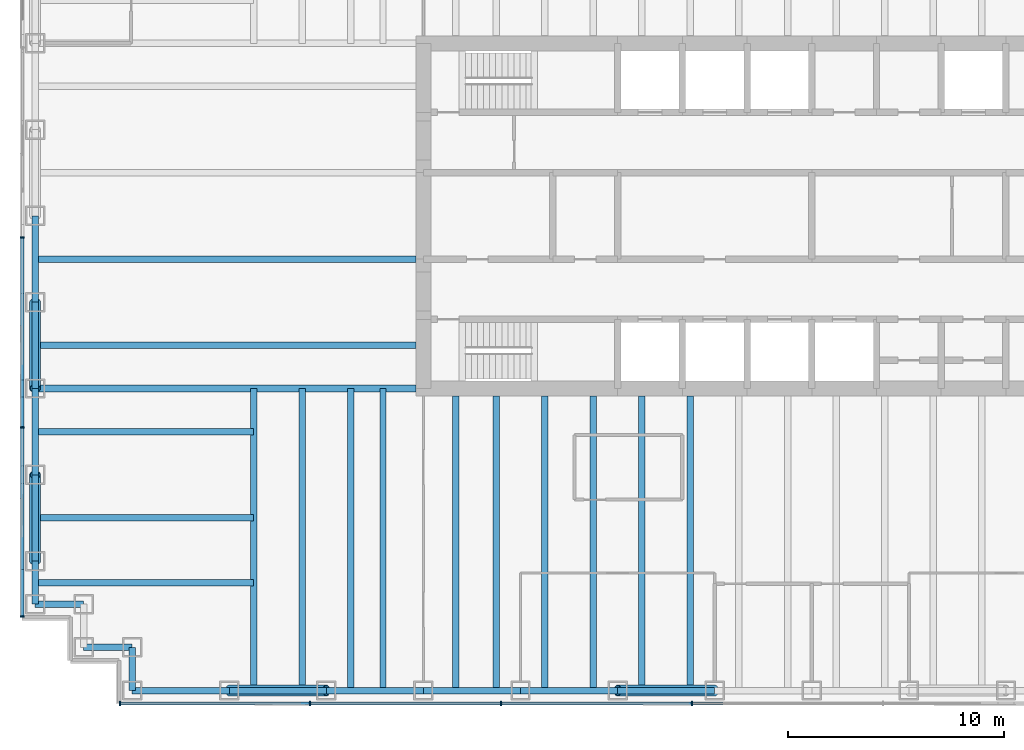
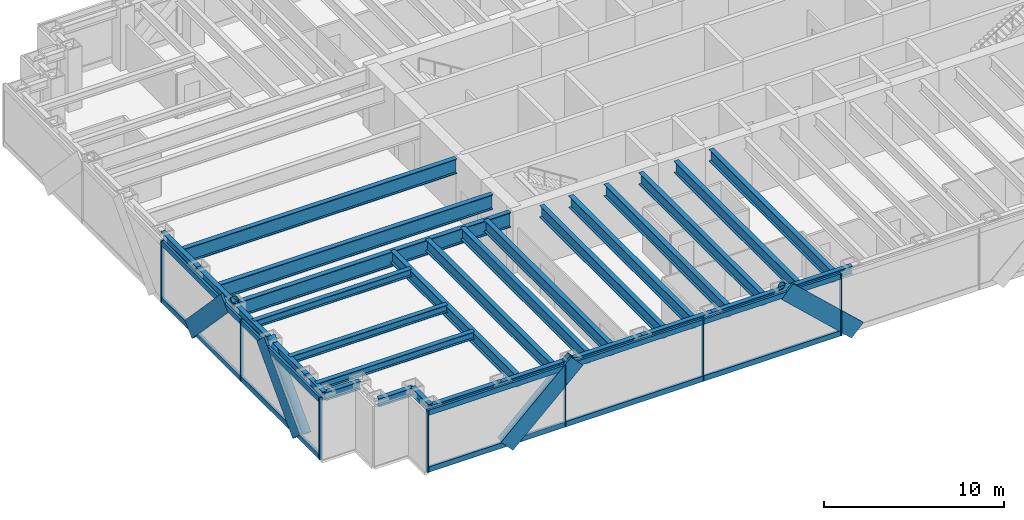
# One storey, part 2 of 15: 30 beams, 25 members, 2 elements without a shape of their own.
"""IFC4 building model written with IfcOpenShell, lengths in metres."""

from ifc_helpers import new_model, si_unit, direction, frame, origin, origin_2d, place, context, subcontext, project, spatial, rectangle, hollow_circle, i_section, extrude, material, material_profile, profile_set, type_object, element, aggregate, save


model = new_model("IFC4")

# Units and contexts
model_context = context("Model", 3, precision=1e-05, world=origin(), true_north=direction((0.0, 1.0)))
body_context = subcontext(model_context, "Body", "Model", "MODEL_VIEW")
ifc_project = project(units=[si_unit("LENGTHUNIT", "METRE"), si_unit("AREAUNIT", "SQUARE_METRE"), si_unit("VOLUMEUNIT", "CUBIC_METRE"), si_unit("PLANEANGLEUNIT", "RADIAN"), si_unit("MASSUNIT", "GRAM", prefix="KILO")], contexts=[model_context])

# Site, building, storey
site_placement = place(None, origin())
site = spatial("IfcSite", under=ifc_project, at=site_placement, CompositionType="ELEMENT")
building_placement = place(site_placement, origin())
building = spatial("IfcBuilding", under=site, at=building_placement, Name="Rheinbord Bourse Tower", CompositionType="ELEMENT")
storey_placement = place(building_placement, frame((0.0, 0.0, 279.5)))
storey = spatial("IfcBuildingStorey", under=building, at=storey_placement, Name="L63", CompositionType="ELEMENT", Elevation=279.5)

# Curtain wall, members
ifc_material_1 = material(Name="Dark glass and black aluminium", Category="aluminium")
curtain_wall_type = type_object("IfcCurtainWallType", Name="CW3 DARK GLASS CURTAIN WALL", PredefinedType="USERDEFINED", material=ifc_material_1)
curtain_wall_1_placement = place(storey_placement, origin())
curtain_wall_1 = element("IfcCurtainWall", 1, at=curtain_wall_1_placement, inside=storey, type_object=curtain_wall_type, Name="Curtain wall CW3 S L63", ObjectType="UNITISED CURTAIN WALL", PredefinedType="USERDEFINED")
ifc_material_2 = material(Name="Black anodised aluminium", Category="aluminium")
ifc_material_profile_1 = material_profile(ifc_material_2, rectangle(XDim=0.14990234375, YDim=1.10791015625, at=origin_2d()), Name="CW3 DIAGONAL MULLION 1108x150")
ifc_profile_set_1 = profile_set([ifc_material_profile_1], Name="Black anodised aluminium")
member_type_1 = type_object("IfcMemberType", Name="CW3 BLACK DIAGONAL MULLION", PredefinedType="USERDEFINED", material=ifc_profile_set_1)
member_1_placement = place(storey_placement, frame((31.5, 1.39990234375, 0.0), z_axis=(-0.73105922506, 0.0, 0.682314010889), x_axis=(0.0, -1.0, 0.0)))
member_1 = element("IfcMember", 2, at=member_1_placement, type_object=member_type_1, Name="CW3 diagonal mullion b", ObjectType="DIAGONAL MULLION", PredefinedType="USERDEFINED", context=body_context, shape_type="SweptSolid", body=[
    extrude(rectangle(XDim=0.14990234375, YDim=1.10791015625, at=origin_2d()), origin(), (0.0, 0.0, 1.0), 6.155517578125),
])
member_2_placement = place(storey_placement, frame((9.0, 1.39990234375, 0.0), z_axis=(0.73105922506, 0.0, 0.682314010889), x_axis=(0.0, 1.0, 0.0)))
member_2 = element("IfcMember", 3, at=member_2_placement, type_object=member_type_1, Name="CW3 diagonal mullion d", ObjectType="DIAGONAL MULLION", PredefinedType="USERDEFINED", context=body_context, shape_type="SweptSolid", body=[
    extrude(rectangle(XDim=0.14990234375, YDim=1.10791015625, at=origin_2d()), origin(), (0.0, 0.0, 1.0), 6.155517578125),
])

curtain_wall_2_placement = place(storey_placement, origin())
curtain_wall_2 = element("IfcCurtainWall", 4, at=curtain_wall_2_placement, inside=storey, type_object=curtain_wall_type, Name="Curtain wall CW3 W L63", ObjectType="UNITISED CURTAIN WALL", PredefinedType="USERDEFINED")
member_3_placement = place(storey_placement, frame((-0.60009765625, 8.0, 0.0), z_axis=(0.0, 0.689659376744, 0.724133926887), x_axis=(-1.0, 0.0, 0.0)))
member_3 = element("IfcMember", 5, at=member_3_placement, type_object=member_type_1, Name="CW3 diagonal mullion b", ObjectType="DIAGONAL MULLION", PredefinedType="USERDEFINED", context=body_context, shape_type="SweptSolid", body=[
    extrude(rectangle(XDim=0.14990234375, YDim=1.10791015625, at=origin_2d()), origin(), (0.0, 0.0, 1.0), 5.800048828125),
])
member_4_placement = place(storey_placement, frame((-0.60009765625, 20.0, 0.0), z_axis=(0.0, -0.689659376744, 0.724133926887), x_axis=(1.0, 0.0, 0.0)))
member_4 = element("IfcMember", 6, at=member_4_placement, type_object=member_type_1, Name="CW3 diagonal mullion c", ObjectType="DIAGONAL MULLION", PredefinedType="USERDEFINED", context=body_context, shape_type="SweptSolid", body=[
    extrude(rectangle(XDim=0.14990234375, YDim=1.10791015625, at=origin_2d()), origin(), (0.0, 0.0, 1.0), 5.800048828125),
])

# Member
ifc_material_3 = material(Name="Black anodised aluminium", Category="aluminium")
ifc_material_profile_2 = material_profile(ifc_material_3, rectangle(XDim=0.199951171875, YDim=0.06494140625, at=origin_2d()), Name="CW3 MULLION 65x200")
ifc_profile_set_2 = profile_set([ifc_material_profile_2], Name="Black anodised aluminium")
member_type_2 = type_object("IfcMemberType", Name="CW3 BLACK MULLION", PredefinedType="MULLION", material=ifc_profile_set_2)
member_5_placement = place(storey_placement, frame((3.9326171875, 1.39990234375, 0.0), z_axis=(0.0, 0.0, 1.0), x_axis=(0.0, 1.0, 0.0)))
member_5 = element("IfcMember", 7, at=member_5_placement, type_object=member_type_2, Name="CW3 mullion 1", PredefinedType="MULLION", context=body_context, shape_type="SweptSolid", body=[
    extrude(rectangle(XDim=0.199951171875, YDim=0.06494140625, at=origin_2d()), origin(), (0.0, 0.0, 1.0), 4.199951171875),
])

member_6_placement = place(storey_placement, frame((12.75, 1.39990234375, 0.0), z_axis=(0.0, 0.0, 1.0), x_axis=(0.0, 1.0, 0.0)))
member_6 = element("IfcMember", 8, at=member_6_placement, type_object=member_type_2, Name="CW3 mullion 2", PredefinedType="MULLION", context=body_context, shape_type="SweptSolid", body=[
    extrude(rectangle(XDim=0.199951171875, YDim=0.06494140625, at=origin_2d()), origin(), (0.0, 0.0, 1.0), 4.199951171875),
])

member_7_placement = place(storey_placement, frame((21.60009765625, 1.39990234375, 0.0), z_axis=(0.0, 0.0, 1.0), x_axis=(0.0, 1.0, 0.0)))
member_7 = element("IfcMember", 9, at=member_7_placement, type_object=member_type_2, Name="CW3 mullion 3", PredefinedType="MULLION", context=body_context, shape_type="SweptSolid", body=[
    extrude(rectangle(XDim=0.199951171875, YDim=0.06494140625, at=origin_2d()), origin(), (0.0, 0.0, 1.0), 4.199951171875),
])

member_8_placement = place(storey_placement, frame((30.449951171875, 1.39990234375, 0.0), z_axis=(0.0, 0.0, 1.0), x_axis=(0.0, 1.0, 0.0)))
member_8 = element("IfcMember", 10, at=member_8_placement, type_object=member_type_2, Name="CW3 mullion 4", PredefinedType="MULLION", context=body_context, shape_type="SweptSolid", body=[
    extrude(rectangle(XDim=0.199951171875, YDim=0.06494140625, at=origin_2d()), origin(), (0.0, 0.0, 1.0), 4.199951171875),
])

member_9_placement = place(storey_placement, frame((-0.60009765625, 23.0, 0.0), z_axis=(0.0, 0.0, 1.0), x_axis=(1.0, 0.0, 0.0)))
member_9 = element("IfcMember", 11, at=member_9_placement, type_object=member_type_2, Name="CW3 mullion 3", PredefinedType="MULLION", context=body_context, shape_type="SweptSolid", body=[
    extrude(rectangle(XDim=0.199951171875, YDim=0.06494140625, at=origin_2d()), origin(), (0.0, 0.0, 1.0), 4.199951171875),
])

member_10_placement = place(storey_placement, frame((-0.60009765625, 14.199951171875, 0.0), z_axis=(0.0, 0.0, 1.0), x_axis=(1.0, 0.0, 0.0)))
member_10 = element("IfcMember", 12, at=member_10_placement, type_object=member_type_2, Name="CW3 mullion 4", PredefinedType="MULLION", context=body_context, shape_type="SweptSolid", body=[
    extrude(rectangle(XDim=0.199951171875, YDim=0.06494140625, at=origin_2d()), origin(), (0.0, 0.0, 1.0), 4.199951171875),
])

member_11_placement = place(storey_placement, frame((-0.60009765625, 5.4326171875, 0.0), z_axis=(0.0, 0.0, 1.0), x_axis=(1.0, 0.0, 0.0)))
member_11 = element("IfcMember", 13, at=member_11_placement, type_object=member_type_2, Name="CW3 mullion 5", PredefinedType="MULLION", context=body_context, shape_type="SweptSolid", body=[
    extrude(rectangle(XDim=0.199951171875, YDim=0.06494140625, at=origin_2d()), origin(), (0.0, 0.0, 1.0), 4.199951171875),
])

ifc_material_4 = material(Name="Black anodised aluminium", Category="aluminium")
ifc_material_profile_3 = material_profile(ifc_material_4, rectangle(XDim=0.14990234375, YDim=0.35009765625, at=origin_2d()), Name="CW3 TRANSOM 350x150")
ifc_profile_set_3 = profile_set([ifc_material_profile_3], Name="Black anodised aluminium")
member_type_3 = type_object("IfcMemberType", Name="CW3 BLACK TRANSOM", PredefinedType="USERDEFINED", material=ifc_profile_set_3)
member_12_placement = place(storey_placement, frame((3.965087890625, 1.39990234375, 0.175048828125), z_axis=(1.0, 0.0, 0.0), x_axis=(0.0, 1.0, 0.0)))
member_12 = element("IfcMember", 14, at=member_12_placement, type_object=member_type_3, Name="CW3 transom 1.1", ObjectType="TRANSOM", PredefinedType="USERDEFINED", context=body_context, shape_type="SweptSolid", body=[
    extrude(rectangle(XDim=0.14990234375, YDim=0.35009765625, at=origin_2d()), origin(), (0.0, 0.0, 1.0), 8.75244140625),
])

member_13_placement = place(storey_placement, frame((3.965087890625, 1.39990234375, 4.02490234375), z_axis=(1.0, 0.0, 0.0), x_axis=(0.0, 1.0, 0.0)))
member_13 = element("IfcMember", 15, at=member_13_placement, type_object=member_type_3, Name="CW3 transom 1.2", ObjectType="TRANSOM", PredefinedType="USERDEFINED", context=body_context, shape_type="SweptSolid", body=[
    extrude(rectangle(XDim=0.14990234375, YDim=0.35009765625, at=origin_2d()), origin(), (0.0, 0.0, 1.0), 8.75244140625),
])

member_14_placement = place(storey_placement, frame((12.782470703125, 1.39990234375, 0.175048828125), z_axis=(1.0, 0.0, 0.0), x_axis=(0.0, 1.0, 0.0)))
member_14 = element("IfcMember", 16, at=member_14_placement, type_object=member_type_3, Name="CW3 transom 2.1", ObjectType="TRANSOM", PredefinedType="USERDEFINED", context=body_context, shape_type="SweptSolid", body=[
    extrude(rectangle(XDim=0.14990234375, YDim=0.35009765625, at=origin_2d()), origin(), (0.0, 0.0, 1.0), 8.784912109375),
])

member_15_placement = place(storey_placement, frame((12.782470703125, 1.39990234375, 4.02490234375), z_axis=(1.0, 0.0, 0.0), x_axis=(0.0, 1.0, 0.0)))
member_15 = element("IfcMember", 17, at=member_15_placement, type_object=member_type_3, Name="CW3 transom 2.2", ObjectType="TRANSOM", PredefinedType="USERDEFINED", context=body_context, shape_type="SweptSolid", body=[
    extrude(rectangle(XDim=0.14990234375, YDim=0.35009765625, at=origin_2d()), origin(), (0.0, 0.0, 1.0), 8.784912109375),
])

member_16_placement = place(storey_placement, frame((21.632568359375, 1.39990234375, 0.175048828125), z_axis=(1.0, 0.0, 0.0), x_axis=(0.0, 1.0, 0.0)))
member_16 = element("IfcMember", 18, at=member_16_placement, type_object=member_type_3, Name="CW3 transom 3.1", ObjectType="TRANSOM", PredefinedType="USERDEFINED", context=body_context, shape_type="SweptSolid", body=[
    extrude(rectangle(XDim=0.14990234375, YDim=0.35009765625, at=origin_2d()), origin(), (0.0, 0.0, 1.0), 8.784912109375),
])

member_17_placement = place(storey_placement, frame((21.632568359375, 1.39990234375, 4.02490234375), z_axis=(1.0, 0.0, 0.0), x_axis=(0.0, 1.0, 0.0)))
member_17 = element("IfcMember", 19, at=member_17_placement, type_object=member_type_3, Name="CW3 transom 3.2", ObjectType="TRANSOM", PredefinedType="USERDEFINED", context=body_context, shape_type="SweptSolid", body=[
    extrude(rectangle(XDim=0.14990234375, YDim=0.35009765625, at=origin_2d()), origin(), (0.0, 0.0, 1.0), 8.784912109375),
])

aggregate(curtain_wall_1, [member_5, member_6, member_7, member_8, member_12, member_13, member_14, member_15, member_16, member_17, member_1, member_2])

member_18_placement = place(storey_placement, frame((-0.60009765625, 22.967529296875, 0.175048828125), z_axis=(0.0, -1.0, 0.0), x_axis=(1.0, 0.0, 0.0)))
member_18 = element("IfcMember", 20, at=member_18_placement, type_object=member_type_3, Name="CW3 transom 3.1", ObjectType="TRANSOM", PredefinedType="USERDEFINED", context=body_context, shape_type="SweptSolid", body=[
    extrude(rectangle(XDim=0.14990234375, YDim=0.35009765625, at=origin_2d()), origin(), (0.0, 0.0, 1.0), 8.735107421875),
])

member_19_placement = place(storey_placement, frame((-0.60009765625, 22.967529296875, 4.02490234375), z_axis=(0.0, -1.0, 0.0), x_axis=(1.0, 0.0, 0.0)))
member_19 = element("IfcMember", 21, at=member_19_placement, type_object=member_type_3, Name="CW3 transom 3.2", ObjectType="TRANSOM", PredefinedType="USERDEFINED", context=body_context, shape_type="SweptSolid", body=[
    extrude(rectangle(XDim=0.14990234375, YDim=0.35009765625, at=origin_2d()), origin(), (0.0, 0.0, 1.0), 8.735107421875),
])

member_20_placement = place(storey_placement, frame((-0.60009765625, 14.16748046875, 0.175048828125), z_axis=(0.0, -1.0, 0.0), x_axis=(1.0, 0.0, 0.0)))
member_20 = element("IfcMember", 22, at=member_20_placement, type_object=member_type_3, Name="CW3 transom 4.1", ObjectType="TRANSOM", PredefinedType="USERDEFINED", context=body_context, shape_type="SweptSolid", body=[
    extrude(rectangle(XDim=0.14990234375, YDim=0.35009765625, at=origin_2d()), origin(), (0.0, 0.0, 1.0), 8.702392578125),
])

member_21_placement = place(storey_placement, frame((-0.60009765625, 14.16748046875, 4.02490234375), z_axis=(0.0, -1.0, 0.0), x_axis=(1.0, 0.0, 0.0)))
member_21 = element("IfcMember", 23, at=member_21_placement, type_object=member_type_3, Name="CW3 transom 4.2", ObjectType="TRANSOM", PredefinedType="USERDEFINED", context=body_context, shape_type="SweptSolid", body=[
    extrude(rectangle(XDim=0.14990234375, YDim=0.35009765625, at=origin_2d()), origin(), (0.0, 0.0, 1.0), 8.702392578125),
])

aggregate(curtain_wall_2, [member_9, member_10, member_11, member_18, member_19, member_20, member_21, member_3, member_4])

# Beams
ifc_material_5 = material(Name="Steel S460", Category="steel")
ifc_material_profile_4 = material_profile(ifc_material_5, i_section(OverallWidth=0.302001953125, OverallDepth=1.008056640625, WebThickness=0.02099609375, FlangeThickness=0.0400390625, at=origin_2d()), Name="HEM 1000")
ifc_profile_set_4 = profile_set([ifc_material_profile_4], Name="Steel S460")
beam_type_1 = type_object("IfcBeamType", Name="END BEAM HEM 1000", PredefinedType="BEAM", material=ifc_profile_set_4)
for number, where, z_axis, x_axis, name in (
    (24, (0.0, 18.0, 3.535888671875), (1.0, 0.0, 0.0), (0.0, 1.0, 0.0), "End beam west 18 L64"),
    (25, (0.0, 22.0, 3.535888671875), (1.0, 0.0, 0.0), (0.0, 1.0, 0.0), "End beam west 22 L64"),
):
    element("IfcBeam", number, at=place(storey_placement, frame(where, z_axis=z_axis, x_axis=x_axis)), inside=storey, type_object=beam_type_1, Name=name, PredefinedType="BEAM", context=body_context, shape_type="SweptSolid", body=[
        extrude(i_section(OverallWidth=0.302001953125, OverallDepth=1.008056640625, WebThickness=0.02099609375, FlangeThickness=0.0400390625, at=origin_2d()), origin(), (0.0, 0.0, 1.0), 17.64990234375),
    ])
ifc_material_6 = material(Name="Steel S460", Category="steel")
ifc_material_profile_5 = material_profile(ifc_material_6, i_section(OverallWidth=0.300048828125, OverallDepth=0.800048828125, WebThickness=0.017578125, FlangeThickness=0.032958984375, at=origin_2d()), Name="HEB 800")
ifc_profile_set_5 = profile_set([ifc_material_profile_5], Name="Steel S460")
beam_type_2 = type_object("IfcBeamType", Name="FLOOR BEAM HEB 800", PredefinedType="BEAM", material=ifc_profile_set_5)
for number, where, z_axis, x_axis, name in (
    (26, (10.125, 2.0, 3.639892578125), (0.0, 1.0, 0.0), (-1.0, 0.0, 0.0), "Floor beam S-9a L64"),
    (27, (12.375, 2.0, 3.639892578125), (0.0, 1.0, 0.0), (-1.0, 0.0, 0.0), "Floor beam S-9b L64"),
    (28, (14.625, 2.0, 3.639892578125), (0.0, 1.0, 0.0), (-1.0, 0.0, 0.0), "Floor beam S-13.5a L64"),
    (29, (16.125, 2.0, 3.639892578125), (0.0, 1.0, 0.0), (-1.0, 0.0, 0.0), "Floor beam S-13.5b L64"),
):
    element("IfcBeam", number, at=place(storey_placement, frame(where, z_axis=z_axis, x_axis=x_axis)), inside=storey, type_object=beam_type_2, Name=name, PredefinedType="BEAM", context=body_context, shape_type="SweptSolid", body=[
        extrude(i_section(OverallWidth=0.300048828125, OverallDepth=0.800048828125, WebThickness=0.017578125, FlangeThickness=0.032958984375, at=origin_2d()), origin(), (0.0, 0.0, 1.0), 14.0),
    ])
for number, where, z_axis, x_axis, name in (
    (30, (19.5, 2.0, 3.639892578125), (0.0, 1.0, 0.0), (-1.0, 0.0, 0.0), "Floor beam S-18a L64"),
    (31, (21.375, 2.0, 3.639892578125), (0.0, 1.0, 0.0), (-1.0, 0.0, 0.0), "Floor beam S-18b L64"),
    (32, (23.625, 2.0, 3.639892578125), (0.0, 1.0, 0.0), (-1.0, 0.0, 0.0), "Floor beam S-22.5a L64"),
    (33, (25.875, 2.0, 3.639892578125), (0.0, 1.0, 0.0), (-1.0, 0.0, 0.0), "Floor beam S-22.5b L64"),
    (34, (28.125, 2.0, 3.639892578125), (0.0, 1.0, 0.0), (-1.0, 0.0, 0.0), "Floor beam S-27a L64"),
    (35, (30.375, 2.0, 3.639892578125), (0.0, 1.0, 0.0), (-1.0, 0.0, 0.0), "Floor beam S-27b L64"),
):
    element("IfcBeam", number, at=place(storey_placement, frame(where, z_axis=z_axis, x_axis=x_axis)), inside=storey, type_object=beam_type_2, Name=name, PredefinedType="BEAM", context=body_context, shape_type="SweptSolid", body=[
        extrude(i_section(OverallWidth=0.300048828125, OverallDepth=0.800048828125, WebThickness=0.017578125, FlangeThickness=0.032958984375, at=origin_2d()), origin(), (0.0, 0.0, 1.0), 13.64990234375),
    ])
ifc_material_7 = material(Name="Steel S460", Category="steel")
ifc_material_profile_6 = material_profile(ifc_material_7, i_section(OverallWidth=0.302001953125, OverallDepth=1.008056640625, WebThickness=0.02099609375, FlangeThickness=0.0400390625, at=origin_2d()), Name="HEM 1000")
ifc_profile_set_6 = profile_set([ifc_material_profile_6], Name="Steel S460")
beam_type_3 = type_object("IfcBeamType", Name="GIRDER HEM 1000", PredefinedType="BEAM", material=ifc_profile_set_6)
beam_1_placement = place(storey_placement, frame((0.0, 16.0, 3.535888671875), z_axis=(1.0, 0.0, 0.0), x_axis=(0.0, 1.0, 0.0)))
element("IfcBeam", 36, at=beam_1_placement, inside=storey, type_object=beam_type_3, Name="Girder west 16 L64", PredefinedType="BEAM", context=body_context, shape_type="SweptSolid", body=[
    extrude(i_section(OverallWidth=0.302001953125, OverallDepth=1.008056640625, WebThickness=0.02099609375, FlangeThickness=0.0400390625, at=origin_2d()), origin(), (0.0, 0.0, 1.0), 17.64990234375),
])

# Members
ifc_material_8 = material(Name="Steel S460", Category="steel")
ifc_material_profile_7 = material_profile(ifc_material_8, hollow_circle(Radius=0.25390625, WallThickness=0.030029296875, at=origin_2d()), Name="CHS 508x30")
ifc_profile_set_7 = profile_set([ifc_material_profile_7], Name="Steel S460")
member_type_4 = type_object("IfcMemberType", Name="MEGABRACE CHS 508x30", PredefinedType="BRACE", material=ifc_profile_set_7)
for number, where, z_axis, x_axis, name in (
    (37, (31.5, 2.0, 0.0), (-0.73105922506, 0.0, 0.682314010889), (0.0, -1.0, 0.0), "Megabrace S face line b L63"),
    (38, (9.0, 2.0, 0.0), (0.73105922506, 0.0, 0.682314010889), (0.0, 1.0, 0.0), "Megabrace S face line d L63"),
):
    element("IfcMember", number, at=place(storey_placement, frame(where, z_axis=z_axis, x_axis=x_axis)), inside=storey, type_object=member_type_4, Name=name, PredefinedType="BRACE", context=body_context, shape_type="SweptSolid", body=[
        extrude(hollow_circle(Radius=0.25390625, WallThickness=0.030029296875, at=origin_2d()), origin(), (0.0, 0.0, 1.0), 6.155517578125),
    ])
for number, where, z_axis, x_axis, name in (
    (39, (0.0, 8.0, 0.0), (0.0, 0.689659376744, 0.724133926887), (-1.0, 0.0, 0.0), "Megabrace W face line b L63"),
    (40, (0.0, 20.0, 0.0), (0.0, -0.689659376744, 0.724133926887), (1.0, 0.0, 0.0), "Megabrace W face line c L63"),
):
    element("IfcMember", number, at=place(storey_placement, frame(where, z_axis=z_axis, x_axis=x_axis)), inside=storey, type_object=member_type_4, Name=name, PredefinedType="BRACE", context=body_context, shape_type="SweptSolid", body=[
        extrude(hollow_circle(Radius=0.25390625, WallThickness=0.030029296875, at=origin_2d()), origin(), (0.0, 0.0, 1.0), 5.800048828125),
    ])

# Beams
ifc_material_9 = material(Name="Steel S460", Category="steel")
ifc_material_profile_8 = material_profile(ifc_material_9, i_section(OverallWidth=0.300048828125, OverallDepth=0.550048828125, WebThickness=0.014892578125, FlangeThickness=0.029052734375, at=origin_2d()), Name="HEB 550")
ifc_profile_set_8 = profile_set([ifc_material_profile_8], Name="Steel S460")
beam_type_4 = type_object("IfcBeamType", Name="SPANDREL HEB 550", PredefinedType="SPANDREL", material=ifc_profile_set_8)
for number, where, z_axis, x_axis, name in (
    (41, (4.5, 2.0, 3.764892578125), (1.0, 0.0, 0.0), (0.0, 1.0, 0.0), "Spandrel SW-E-S-9 under L64"),
    (42, (9.0, 2.0, 3.764892578125), (1.0, 0.0, 0.0), (0.0, 1.0, 0.0), "Spandrel S-9-S-13.5 under L64"),
    (43, (13.5, 2.0, 3.764892578125), (1.0, 0.0, 0.0), (0.0, 1.0, 0.0), "Spandrel S-13.5-S-18 under L64"),
    (44, (18.0, 2.0, 3.764892578125), (1.0, 0.0, 0.0), (0.0, 1.0, 0.0), "Spandrel S-18-S-22.5 under L64"),
    (45, (22.5, 2.0, 3.764892578125), (1.0, 0.0, 0.0), (0.0, 1.0, 0.0), "Spandrel S-22.5-S-27 under L64"),
    (46, (27.0, 2.0, 3.764892578125), (1.0, 0.0, 0.0), (0.0, 1.0, 0.0), "Spandrel S-27-S-31.5 under L64"),
):
    element("IfcBeam", number, at=place(storey_placement, frame(where, z_axis=z_axis, x_axis=x_axis)), inside=storey, type_object=beam_type_4, Name=name, PredefinedType="SPANDREL", context=body_context, shape_type="SweptSolid", body=[
        extrude(i_section(OverallWidth=0.300048828125, OverallDepth=0.550048828125, WebThickness=0.014892578125, FlangeThickness=0.029052734375, at=origin_2d()), origin(), (0.0, 0.0, 1.0), 4.5),
    ])
for number, where, z_axis, x_axis, name in (
    (47, (0.0, 24.0, 3.764892578125), (0.0, -1.0, 0.0), (1.0, 0.0, 0.0), "Spandrel W-24-W-20 under L64"),
    (48, (0.0, 20.0, 3.764892578125), (0.0, -1.0, 0.0), (1.0, 0.0, 0.0), "Spandrel W-20-W-16 under L64"),
    (49, (0.0, 16.0, 3.764892578125), (0.0, -1.0, 0.0), (1.0, 0.0, 0.0), "Spandrel W-16-W-12 under L64"),
    (50, (0.0, 12.0, 3.764892578125), (0.0, -1.0, 0.0), (1.0, 0.0, 0.0), "Spandrel W-12-W-8 under L64"),
):
    element("IfcBeam", number, at=place(storey_placement, frame(where, z_axis=z_axis, x_axis=x_axis)), inside=storey, type_object=beam_type_4, Name=name, PredefinedType="SPANDREL", context=body_context, shape_type="SweptSolid", body=[
        extrude(i_section(OverallWidth=0.300048828125, OverallDepth=0.550048828125, WebThickness=0.014892578125, FlangeThickness=0.029052734375, at=origin_2d()), origin(), (0.0, 0.0, 1.0), 4.0),
    ])
beam_2_placement = place(storey_placement, frame((0.0, 8.0, 3.764892578125), z_axis=(0.0, -1.0, 0.0), x_axis=(1.0, 0.0, 0.0)))
element("IfcBeam", 51, at=beam_2_placement, inside=storey, type_object=beam_type_4, Name="Spandrel W-8-SW-A under L64", PredefinedType="SPANDREL", context=body_context, shape_type="SweptSolid", body=[
    extrude(i_section(OverallWidth=0.300048828125, OverallDepth=0.550048828125, WebThickness=0.014892578125, FlangeThickness=0.029052734375, at=origin_2d()), origin(), (0.0, 0.0, 1.0), 2.0),
])
for number, where, z_axis, x_axis, name in (
    (52, (0.0, 6.0, 3.764892578125), (1.0, 0.0, 0.0), (0.0, 1.0, 0.0), "Spandrel SW-A-SW-B under L64"),
    (53, (2.25, 4.0, 3.764892578125), (1.0, 0.0, 0.0), (0.0, 1.0, 0.0), "Spandrel SW-C-SW-D under L64"),
):
    element("IfcBeam", number, at=place(storey_placement, frame(where, z_axis=z_axis, x_axis=x_axis)), inside=storey, type_object=beam_type_4, Name=name, PredefinedType="SPANDREL", context=body_context, shape_type="SweptSolid", body=[
        extrude(i_section(OverallWidth=0.300048828125, OverallDepth=0.550048828125, WebThickness=0.014892578125, FlangeThickness=0.029052734375, at=origin_2d()), origin(), (0.0, 0.0, 1.0), 2.25),
    ])
beam_3_placement = place(storey_placement, frame((4.5, 4.0, 3.764892578125), z_axis=(0.0, -1.0, 0.0), x_axis=(1.0, 0.0, 0.0)))
element("IfcBeam", 54, at=beam_3_placement, inside=storey, type_object=beam_type_4, Name="Spandrel SW-D-SW-E under L64", PredefinedType="SPANDREL", context=body_context, shape_type="SweptSolid", body=[
    extrude(i_section(OverallWidth=0.300048828125, OverallDepth=0.550048828125, WebThickness=0.014892578125, FlangeThickness=0.029052734375, at=origin_2d()), origin(), (0.0, 0.0, 1.0), 2.0),
])
ifc_material_10 = material(Name="Steel S460", Category="steel")
ifc_material_profile_9 = material_profile(ifc_material_10, i_section(OverallWidth=0.300048828125, OverallDepth=0.5, WebThickness=0.014404296875, FlangeThickness=0.028076171875, at=origin_2d()), Name="HEB 500")
ifc_profile_set_9 = profile_set([ifc_material_profile_9], Name="Steel S460")
beam_type_5 = type_object("IfcBeamType", Name="TIE BEAM HEB 500", PredefinedType="JOIST", material=ifc_profile_set_9)
for number, where, z_axis, x_axis, name in (
    (55, (0.0, 7.0, 3.7900390625), (1.0, 0.0, 0.0), (0.0, 1.0, 0.0), "Tie west 7 L64"),
    (56, (0.0, 10.0, 3.7900390625), (1.0, 0.0, 0.0), (0.0, 1.0, 0.0), "Tie west 10 L64"),
    (57, (0.0, 14.0, 3.7900390625), (1.0, 0.0, 0.0), (0.0, 1.0, 0.0), "Tie west 14 L64"),
):
    element("IfcBeam", number, at=place(storey_placement, frame(where, z_axis=z_axis, x_axis=x_axis)), inside=storey, type_object=beam_type_5, Name=name, PredefinedType="JOIST", context=body_context, shape_type="SweptSolid", body=[
        extrude(i_section(OverallWidth=0.300048828125, OverallDepth=0.5, WebThickness=0.014404296875, FlangeThickness=0.028076171875, at=origin_2d()), origin(), (0.0, 0.0, 1.0), 10.125),
    ])

save(model, "model.ifc")
